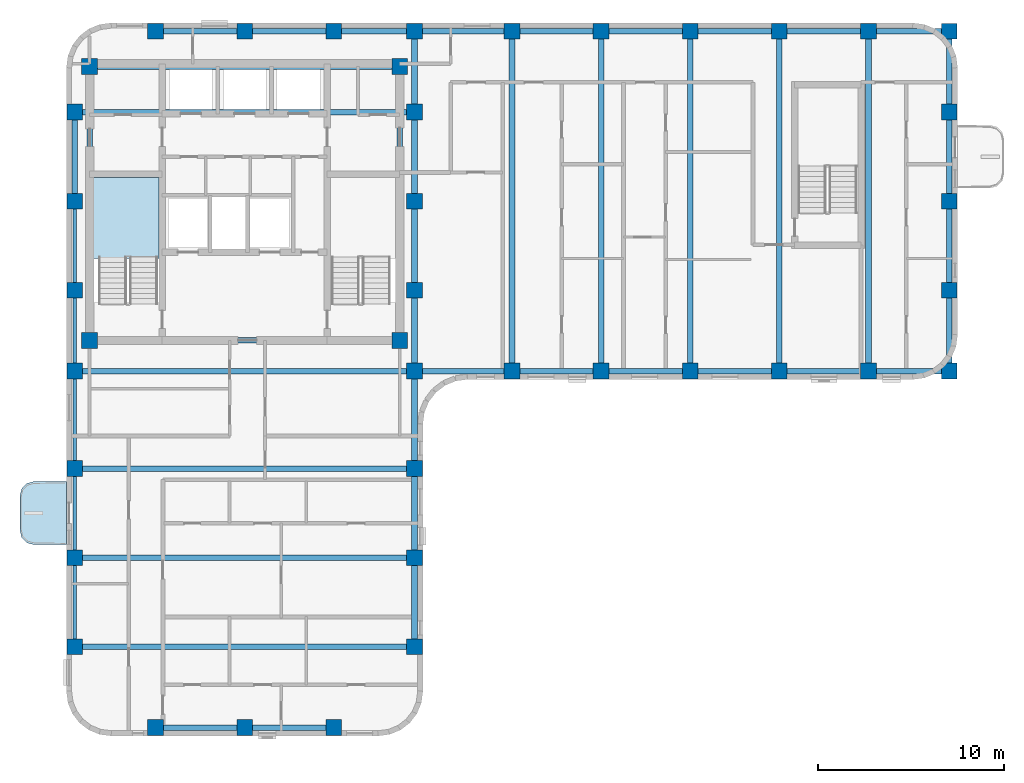
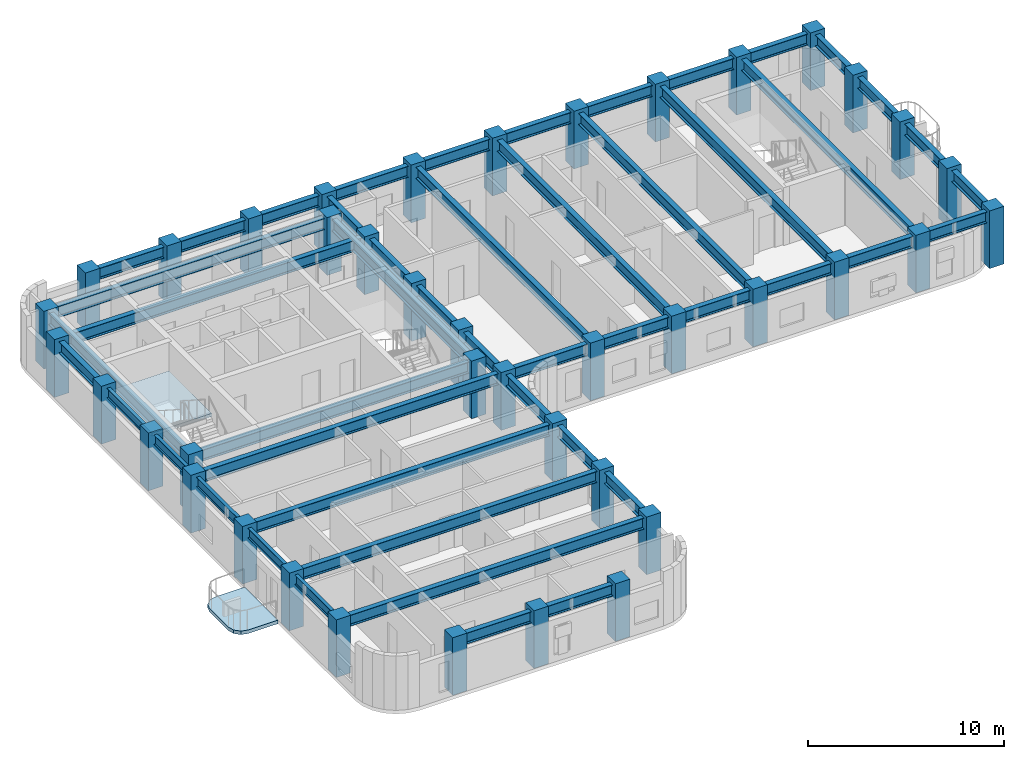
# One storey, part 1 of 10: 48 beams, 40 columns, 2 slabs, 1 element without a shape of its own.
"""IFC4 building model written with IfcOpenShell, lengths in metres."""

from ifc_helpers import new_model, si_unit, direction, frame, origin, origin_2d, place, context, subcontext, project, spatial, polyline, rectangle, i_section, outline, extrude, material, layer, layer_set, material_profile, profile_set, type_object, element, aggregate, save


model = new_model("IFC4")

# Units and contexts
model_context = context("Model", 3, precision=1e-05, world=origin(), true_north=direction((0.0, 1.0)))
body_context = subcontext(model_context, "Body", "Model", "MODEL_VIEW")
ifc_project = project(units=[si_unit("LENGTHUNIT", "METRE"), si_unit("AREAUNIT", "SQUARE_METRE"), si_unit("VOLUMEUNIT", "CUBIC_METRE"), si_unit("PLANEANGLEUNIT", "RADIAN"), si_unit("MASSUNIT", "GRAM", prefix="KILO")], contexts=[model_context])

# Site, building, storey
site_placement = place(None, origin())
site = spatial("IfcSite", under=ifc_project, at=site_placement, CompositionType="ELEMENT")
building_placement = place(site_placement, origin())
building = spatial("IfcBuilding", under=site, at=building_placement, Name="Orvandelia Arch Residences", CompositionType="ELEMENT")
storey_placement = place(building_placement, frame((0.0, 0.0, 207.39990234375)))
storey = spatial("IfcBuildingStorey", under=building, at=storey_placement, Name="L54", CompositionType="ELEMENT", Elevation=207.39990234375)

# Columns
ifc_material_1 = material(Name="Concrete C60/75", Category="concrete")
ifc_material_profile_1 = material_profile(ifc_material_1, rectangle(XDim=0.85009765625, YDim=0.85009765625, at=origin_2d()), Name="Concrete C60/75", Category="concrete")
ifc_profile_set_1 = profile_set([ifc_material_profile_1], Name="Concrete C60/75")
column_type = type_object("IfcColumnType", Name="COL-TWR-850", PredefinedType="COLUMN", material=ifc_profile_set_1)
for number, where, z_axis, x_axis, name in (
    (1, (5.25, 14.39990234375, 0.0), (0.0, 0.0, 1.0), (1.0, 0.0, 0.0), "Structural Column L54-W-W-144"),
    (2, (5.25, 19.199951171875, 0.0), (0.0, 0.0, 1.0), (1.0, 0.0, 0.0), "Structural Column L54-W-W-192"),
    (3, (5.25, 24.0, 0.0), (0.0, 0.0, 1.0), (1.0, 0.0, 0.0), "Structural Column L54-W-W-240"),
    (4, (5.25, 29.25, 0.0), (0.0, 0.0, 1.0), (1.0, 0.0, 0.0), "Structural Column L54-W-W-292"),
    (5, (5.25, 33.60009765625, 0.0), (0.0, 0.0, 1.0), (1.0, 0.0, 0.0), "Structural Column L54-W-W-336"),
    (6, (5.25, 38.39990234375, 0.0), (0.0, 0.0, 1.0), (1.0, 0.0, 0.0), "Structural Column L54-W-W-384"),
    (7, (5.25, 43.199951171875, 0.0), (0.0, 0.0, 1.0), (1.0, 0.0, 0.0), "Structural Column L54-W-W-432"),
    (8, (6.050048828125, 30.89990234375, 0.0), (0.0, 0.0, 1.0), (1.0, 0.0, 0.0), "Structural Column L54-CR-SW"),
    (9, (6.050048828125, 45.64990234375, 0.0), (0.0, 0.0, 1.0), (1.0, 0.0, 0.0), "Structural Column L54-CR-NW"),
    (10, (9.60009765625, 10.050048828125, 0.0), (0.0, 0.0, 1.0), (1.0, 0.0, 0.0), "Structural Column L54-W-S-96"),
    (11, (9.60009765625, 47.550048828125, 0.0), (0.0, 0.0, 1.0), (1.0, 0.0, 0.0), "Structural Column L54-W-N-96"),
    (12, (14.39990234375, 10.050048828125, 0.0), (0.0, 0.0, 1.0), (1.0, 0.0, 0.0), "Structural Column L54-W-S-144"),
    (13, (14.39990234375, 47.550048828125, 0.0), (0.0, 0.0, 1.0), (1.0, 0.0, 0.0), "Structural Column L54-W-N-144"),
    (14, (19.199951171875, 10.050048828125, 0.0), (0.0, 0.0, 1.0), (1.0, 0.0, 0.0), "Structural Column L54-W-S-192"),
    (15, (19.199951171875, 47.550048828125, 0.0), (0.0, 0.0, 1.0), (1.0, 0.0, 0.0), "Structural Column L54-W-N-192"),
    (16, (22.75, 30.89990234375, 0.0), (0.0, 0.0, 1.0), (1.0, 0.0, 0.0), "Structural Column L54-CR-SE"),
    (17, (22.75, 45.64990234375, 0.0), (0.0, 0.0, 1.0), (1.0, 0.0, 0.0), "Structural Column L54-CR-NE"),
    (18, (23.550048828125, 14.39990234375, 0.0), (0.0, 0.0, 1.0), (1.0, 0.0, 0.0), "Structural Column L54-W-E-144"),
    (19, (23.550048828125, 19.199951171875, 0.0), (0.0, 0.0, 1.0), (1.0, 0.0, 0.0), "Structural Column L54-W-E-192"),
    (20, (23.550048828125, 24.0, 0.0), (0.0, 0.0, 1.0), (1.0, 0.0, 0.0), "Structural Column L54-W-E-240"),
    (21, (23.550048828125, 29.25, 0.0), (0.0, 0.0, 1.0), (1.0, 0.0, 0.0), "Structural Column L54-W-E-292"),
    (22, (23.550048828125, 33.60009765625, 0.0), (0.0, 0.0, 1.0), (1.0, 0.0, 0.0), "Structural Column L54-W-E-336"),
    (23, (23.550048828125, 38.39990234375, 0.0), (0.0, 0.0, 1.0), (1.0, 0.0, 0.0), "Structural Column L54-W-E-384"),
    (24, (23.550048828125, 43.199951171875, 0.0), (0.0, 0.0, 1.0), (1.0, 0.0, 0.0), "Structural Column L54-W-E-432"),
    (25, (23.550048828125, 47.550048828125, 0.0), (0.0, 0.0, 1.0), (1.0, 0.0, 0.0), "Structural Column L54-W-N-235"),
    (26, (28.800048828125, 29.25, 0.0), (0.0, 0.0, 1.0), (1.0, 0.0, 0.0), "Structural Column L54-E-S-288"),
    (27, (28.800048828125, 47.550048828125, 0.0), (0.0, 0.0, 1.0), (1.0, 0.0, 0.0), "Structural Column L54-E-N-288"),
    (28, (33.60009765625, 29.25, 0.0), (0.0, 0.0, 1.0), (1.0, 0.0, 0.0), "Structural Column L54-E-S-336"),
    (29, (33.60009765625, 47.550048828125, 0.0), (0.0, 0.0, 1.0), (1.0, 0.0, 0.0), "Structural Column L54-E-N-336"),
    (30, (38.39990234375, 29.25, 0.0), (0.0, 0.0, 1.0), (1.0, 0.0, 0.0), "Structural Column L54-E-S-384"),
    (31, (38.39990234375, 47.550048828125, 0.0), (0.0, 0.0, 1.0), (1.0, 0.0, 0.0), "Structural Column L54-E-N-384"),
    (32, (43.199951171875, 29.25, 0.0), (0.0, 0.0, 1.0), (1.0, 0.0, 0.0), "Structural Column L54-E-S-432"),
    (33, (43.199951171875, 47.550048828125, 0.0), (0.0, 0.0, 1.0), (1.0, 0.0, 0.0), "Structural Column L54-E-N-432"),
    (34, (48.0, 29.25, 0.0), (0.0, 0.0, 1.0), (1.0, 0.0, 0.0), "Structural Column L54-E-S-480"),
    (35, (48.0, 47.550048828125, 0.0), (0.0, 0.0, 1.0), (1.0, 0.0, 0.0), "Structural Column L54-E-N-480"),
    (36, (52.35009765625, 29.25, 0.0), (0.0, 0.0, 1.0), (1.0, 0.0, 0.0), "Structural Column L54-E-S-523"),
    (37, (52.35009765625, 33.60009765625, 0.0), (0.0, 0.0, 1.0), (1.0, 0.0, 0.0), "Structural Column L54-E-523-336"),
    (38, (52.35009765625, 38.39990234375, 0.0), (0.0, 0.0, 1.0), (1.0, 0.0, 0.0), "Structural Column L54-E-523-384"),
    (39, (52.35009765625, 43.199951171875, 0.0), (0.0, 0.0, 1.0), (1.0, 0.0, 0.0), "Structural Column L54-E-523-432"),
    (40, (52.35009765625, 47.550048828125, 0.0), (0.0, 0.0, 1.0), (1.0, 0.0, 0.0), "Structural Column L54-E-N-523"),
):
    element("IfcColumn", number, at=place(storey_placement, frame(where, z_axis=z_axis, x_axis=x_axis)), inside=storey, type_object=column_type, Name=name, PredefinedType="COLUMN", context=body_context, shape_type="SweptSolid", body=[
        extrude(rectangle(XDim=0.85009765625, YDim=0.85009765625, at=origin_2d()), origin(), (0.0, 0.0, 1.0), 3.60009765625),
    ])

# Beams
ifc_material_2 = material(Name="Structural Steel SM355 (355 MPa)", Category="steel")
ifc_material_profile_2 = material_profile(ifc_material_2, i_section(OverallWidth=0.300048828125, OverallDepth=0.699951171875, WebThickness=0.012939453125, FlangeThickness=0.02392578125, FilletRadius=0.02392578125, at=origin_2d()), Name="Structural Steel SM355 (355 MPa)", Category="steel")
ifc_profile_set_2 = profile_set([ifc_material_profile_2], Name="Structural Steel SM355 (355 MPa)")
beam_type_1 = type_object("IfcBeamType", Name="BM-GRD-H700", PredefinedType="BEAM", material=ifc_profile_set_2)
beam_1_placement = place(storey_placement, frame((5.25, 38.39990234375, 3.030029296875), z_axis=(0.0, 1.0, 0.0), x_axis=(-1.0, 0.0, 0.0)))
element("IfcBeam", 41, at=beam_1_placement, inside=storey, type_object=beam_type_1, Name="Structural Frame Beam L54-NS-006", PredefinedType="BEAM", context=body_context, shape_type="SweptSolid", body=[
    extrude(i_section(OverallWidth=0.300048828125, OverallDepth=0.699951171875, WebThickness=0.012939453125, FlangeThickness=0.02392578125, FilletRadius=0.02392578125, at=origin_2d()), origin(), (0.0, 0.0, 1.0), 4.800048828125),
])
for number, where, z_axis, x_axis, name in (
    (42, (6.050048828125, 30.89990234375, 3.030029296875), (0.0, 1.0, 0.0), (-1.0, 0.0, 0.0), "Structural Frame Beam L54-NS-007"),
    (43, (22.75, 30.89990234375, 3.030029296875), (0.0, 1.0, 0.0), (-1.0, 0.0, 0.0), "Structural Frame Beam L54-NS-008"),
):
    element("IfcBeam", number, at=place(storey_placement, frame(where, z_axis=z_axis, x_axis=x_axis)), inside=storey, type_object=beam_type_1, Name=name, PredefinedType="BEAM", context=body_context, shape_type="SweptSolid", body=[
        extrude(i_section(OverallWidth=0.300048828125, OverallDepth=0.699951171875, WebThickness=0.012939453125, FlangeThickness=0.02392578125, FilletRadius=0.02392578125, at=origin_2d()), origin(), (0.0, 0.0, 1.0), 14.75),
    ])
for number, where, z_axis, x_axis, name in (
    (44, (23.550048828125, 14.39990234375, 3.030029296875), (0.0, 1.0, 0.0), (-1.0, 0.0, 0.0), "Structural Frame Beam L54-NS-009"),
    (45, (23.550048828125, 19.199951171875, 3.030029296875), (0.0, 1.0, 0.0), (-1.0, 0.0, 0.0), "Structural Frame Beam L54-NS-010"),
):
    element("IfcBeam", number, at=place(storey_placement, frame(where, z_axis=z_axis, x_axis=x_axis)), inside=storey, type_object=beam_type_1, Name=name, PredefinedType="BEAM", context=body_context, shape_type="SweptSolid", body=[
        extrude(i_section(OverallWidth=0.300048828125, OverallDepth=0.699951171875, WebThickness=0.012939453125, FlangeThickness=0.02392578125, FilletRadius=0.02392578125, at=origin_2d()), origin(), (0.0, 0.0, 1.0), 4.800048828125),
    ])
beam_2_placement = place(storey_placement, frame((23.550048828125, 24.0, 3.030029296875), z_axis=(0.0, 1.0, 0.0), x_axis=(-1.0, 0.0, 0.0)))
element("IfcBeam", 46, at=beam_2_placement, inside=storey, type_object=beam_type_1, Name="Structural Frame Beam L54-NS-011", PredefinedType="BEAM", context=body_context, shape_type="SweptSolid", body=[
    extrude(i_section(OverallWidth=0.300048828125, OverallDepth=0.699951171875, WebThickness=0.012939453125, FlangeThickness=0.02392578125, FilletRadius=0.02392578125, at=origin_2d()), origin(), (0.0, 0.0, 1.0), 5.25),
])
beam_3_placement = place(storey_placement, frame((23.550048828125, 29.25, 3.030029296875), z_axis=(0.0, 1.0, 0.0), x_axis=(-1.0, 0.0, 0.0)))
element("IfcBeam", 47, at=beam_3_placement, inside=storey, type_object=beam_type_1, Name="Structural Frame Beam L54-NS-012", PredefinedType="BEAM", context=body_context, shape_type="SweptSolid", body=[
    extrude(i_section(OverallWidth=0.300048828125, OverallDepth=0.699951171875, WebThickness=0.012939453125, FlangeThickness=0.02392578125, FilletRadius=0.02392578125, at=origin_2d()), origin(), (0.0, 0.0, 1.0), 4.35009765625),
])
beam_4_placement = place(storey_placement, frame((23.550048828125, 33.60009765625, 3.030029296875), z_axis=(0.0, 1.0, 0.0), x_axis=(-1.0, 0.0, 0.0)))
element("IfcBeam", 48, at=beam_4_placement, inside=storey, type_object=beam_type_1, Name="Structural Frame Beam L54-NS-013", PredefinedType="BEAM", context=body_context, shape_type="SweptSolid", body=[
    extrude(i_section(OverallWidth=0.300048828125, OverallDepth=0.699951171875, WebThickness=0.012939453125, FlangeThickness=0.02392578125, FilletRadius=0.02392578125, at=origin_2d()), origin(), (0.0, 0.0, 1.0), 4.7998046875),
])
beam_5_placement = place(storey_placement, frame((23.550048828125, 38.39990234375, 3.030029296875), z_axis=(0.0, 1.0, 0.0), x_axis=(-1.0, 0.0, 0.0)))
element("IfcBeam", 49, at=beam_5_placement, inside=storey, type_object=beam_type_1, Name="Structural Frame Beam L54-NS-014", PredefinedType="BEAM", context=body_context, shape_type="SweptSolid", body=[
    extrude(i_section(OverallWidth=0.300048828125, OverallDepth=0.699951171875, WebThickness=0.012939453125, FlangeThickness=0.02392578125, FilletRadius=0.02392578125, at=origin_2d()), origin(), (0.0, 0.0, 1.0), 4.800048828125),
])
beam_6_placement = place(storey_placement, frame((23.550048828125, 43.199951171875, 3.030029296875), z_axis=(0.0, 1.0, 0.0), x_axis=(-1.0, 0.0, 0.0)))
element("IfcBeam", 50, at=beam_6_placement, inside=storey, type_object=beam_type_1, Name="Structural Frame Beam L54-NS-015", PredefinedType="BEAM", context=body_context, shape_type="SweptSolid", body=[
    extrude(i_section(OverallWidth=0.300048828125, OverallDepth=0.699951171875, WebThickness=0.012939453125, FlangeThickness=0.02392578125, FilletRadius=0.02392578125, at=origin_2d()), origin(), (0.0, 0.0, 1.0), 4.35009765625),
])
for number, where, z_axis, x_axis, name in (
    (51, (28.800048828125, 29.25, 3.030029296875), (0.0, 1.0, 0.0), (-1.0, 0.0, 0.0), "Structural Frame Beam L54-NS-016"),
    (52, (33.60009765625, 29.25, 3.030029296875), (0.0, 1.0, 0.0), (-1.0, 0.0, 0.0), "Structural Frame Beam L54-NS-017"),
    (53, (38.39990234375, 29.25, 3.030029296875), (0.0, 1.0, 0.0), (-1.0, 0.0, 0.0), "Structural Frame Beam L54-NS-018"),
    (54, (43.199951171875, 29.25, 3.030029296875), (0.0, 1.0, 0.0), (-1.0, 0.0, 0.0), "Structural Frame Beam L54-NS-019"),
    (55, (48.0, 29.25, 3.030029296875), (0.0, 1.0, 0.0), (-1.0, 0.0, 0.0), "Structural Frame Beam L54-NS-020"),
):
    element("IfcBeam", number, at=place(storey_placement, frame(where, z_axis=z_axis, x_axis=x_axis)), inside=storey, type_object=beam_type_1, Name=name, PredefinedType="BEAM", context=body_context, shape_type="SweptSolid", body=[
        extrude(i_section(OverallWidth=0.300048828125, OverallDepth=0.699951171875, WebThickness=0.012939453125, FlangeThickness=0.02392578125, FilletRadius=0.02392578125, at=origin_2d()), origin(), (0.0, 0.0, 1.0), 18.300048828125),
    ])
beam_7_placement = place(storey_placement, frame((52.35009765625, 29.25, 3.030029296875), z_axis=(0.0, 1.0, 0.0), x_axis=(-1.0, 0.0, 0.0)))
element("IfcBeam", 56, at=beam_7_placement, inside=storey, type_object=beam_type_1, Name="Structural Frame Beam L54-NS-021", PredefinedType="BEAM", context=body_context, shape_type="SweptSolid", body=[
    extrude(i_section(OverallWidth=0.300048828125, OverallDepth=0.699951171875, WebThickness=0.012939453125, FlangeThickness=0.02392578125, FilletRadius=0.02392578125, at=origin_2d()), origin(), (0.0, 0.0, 1.0), 4.35009765625),
])
beam_8_placement = place(storey_placement, frame((52.35009765625, 33.60009765625, 3.030029296875), z_axis=(0.0, 1.0, 0.0), x_axis=(-1.0, 0.0, 0.0)))
element("IfcBeam", 57, at=beam_8_placement, inside=storey, type_object=beam_type_1, Name="Structural Frame Beam L54-NS-022", PredefinedType="BEAM", context=body_context, shape_type="SweptSolid", body=[
    extrude(i_section(OverallWidth=0.300048828125, OverallDepth=0.699951171875, WebThickness=0.012939453125, FlangeThickness=0.02392578125, FilletRadius=0.02392578125, at=origin_2d()), origin(), (0.0, 0.0, 1.0), 4.7998046875),
])
beam_9_placement = place(storey_placement, frame((52.35009765625, 38.39990234375, 3.030029296875), z_axis=(0.0, 1.0, 0.0), x_axis=(-1.0, 0.0, 0.0)))
element("IfcBeam", 58, at=beam_9_placement, inside=storey, type_object=beam_type_1, Name="Structural Frame Beam L54-NS-023", PredefinedType="BEAM", context=body_context, shape_type="SweptSolid", body=[
    extrude(i_section(OverallWidth=0.300048828125, OverallDepth=0.699951171875, WebThickness=0.012939453125, FlangeThickness=0.02392578125, FilletRadius=0.02392578125, at=origin_2d()), origin(), (0.0, 0.0, 1.0), 4.800048828125),
])
beam_10_placement = place(storey_placement, frame((52.35009765625, 43.199951171875, 3.030029296875), z_axis=(0.0, 1.0, 0.0), x_axis=(-1.0, 0.0, 0.0)))
element("IfcBeam", 59, at=beam_10_placement, inside=storey, type_object=beam_type_1, Name="Structural Frame Beam L54-NS-024", PredefinedType="BEAM", context=body_context, shape_type="SweptSolid", body=[
    extrude(i_section(OverallWidth=0.300048828125, OverallDepth=0.699951171875, WebThickness=0.012939453125, FlangeThickness=0.02392578125, FilletRadius=0.02392578125, at=origin_2d()), origin(), (0.0, 0.0, 1.0), 4.35009765625),
])
beam_11_placement = place(storey_placement, frame((9.60009765625, 10.050048828125, 3.030029296875), z_axis=(1.0, 0.0, 0.0), x_axis=(0.0, 1.0, 0.0)))
element("IfcBeam", 60, at=beam_11_placement, inside=storey, type_object=beam_type_1, Name="Structural Frame Girder L54-EW-025", PredefinedType="BEAM", context=body_context, shape_type="SweptSolid", body=[
    extrude(i_section(OverallWidth=0.300048828125, OverallDepth=0.699951171875, WebThickness=0.012939453125, FlangeThickness=0.02392578125, FilletRadius=0.02392578125, at=origin_2d()), origin(), (0.0, 0.0, 1.0), 4.7998046875),
])
beam_12_placement = place(storey_placement, frame((14.39990234375, 10.050048828125, 3.030029296875), z_axis=(1.0, 0.0, 0.0), x_axis=(0.0, 1.0, 0.0)))
element("IfcBeam", 61, at=beam_12_placement, inside=storey, type_object=beam_type_1, Name="Structural Frame Girder L54-EW-026", PredefinedType="BEAM", context=body_context, shape_type="SweptSolid", body=[
    extrude(i_section(OverallWidth=0.300048828125, OverallDepth=0.699951171875, WebThickness=0.012939453125, FlangeThickness=0.02392578125, FilletRadius=0.02392578125, at=origin_2d()), origin(), (0.0, 0.0, 1.0), 4.800048828125),
])
for number, where, z_axis, x_axis, name in (
    (62, (5.25, 14.39990234375, 3.030029296875), (1.0, 0.0, 0.0), (0.0, 1.0, 0.0), "Structural Frame Girder L54-EW-027"),
    (63, (5.25, 19.199951171875, 3.030029296875), (1.0, 0.0, 0.0), (0.0, 1.0, 0.0), "Structural Frame Girder L54-EW-028"),
    (64, (5.25, 24.0, 3.030029296875), (1.0, 0.0, 0.0), (0.0, 1.0, 0.0), "Structural Frame Girder L54-EW-029"),
    (65, (5.25, 29.25, 3.030029296875), (1.0, 0.0, 0.0), (0.0, 1.0, 0.0), "Structural Frame Girder L54-EW-030"),
):
    element("IfcBeam", number, at=place(storey_placement, frame(where, z_axis=z_axis, x_axis=x_axis)), inside=storey, type_object=beam_type_1, Name=name, PredefinedType="BEAM", context=body_context, shape_type="SweptSolid", body=[
        extrude(i_section(OverallWidth=0.300048828125, OverallDepth=0.699951171875, WebThickness=0.012939453125, FlangeThickness=0.02392578125, FilletRadius=0.02392578125, at=origin_2d()), origin(), (0.0, 0.0, 1.0), 18.300048828125),
    ])
beam_13_placement = place(storey_placement, frame((23.550048828125, 29.25, 3.030029296875), z_axis=(1.0, 0.0, 0.0), x_axis=(0.0, 1.0, 0.0)))
element("IfcBeam", 66, at=beam_13_placement, inside=storey, type_object=beam_type_1, Name="Structural Frame Girder L54-EW-031", PredefinedType="BEAM", context=body_context, shape_type="SweptSolid", body=[
    extrude(i_section(OverallWidth=0.300048828125, OverallDepth=0.699951171875, WebThickness=0.012939453125, FlangeThickness=0.02392578125, FilletRadius=0.02392578125, at=origin_2d()), origin(), (0.0, 0.0, 1.0), 5.25),
])
beam_14_placement = place(storey_placement, frame((28.800048828125, 29.25, 3.030029296875), z_axis=(1.0, 0.0, 0.0), x_axis=(0.0, 1.0, 0.0)))
element("IfcBeam", 67, at=beam_14_placement, inside=storey, type_object=beam_type_1, Name="Structural Frame Girder L54-EW-032", PredefinedType="BEAM", context=body_context, shape_type="SweptSolid", body=[
    extrude(i_section(OverallWidth=0.300048828125, OverallDepth=0.699951171875, WebThickness=0.012939453125, FlangeThickness=0.02392578125, FilletRadius=0.02392578125, at=origin_2d()), origin(), (0.0, 0.0, 1.0), 4.800048828125),
])
beam_15_placement = place(storey_placement, frame((33.60009765625, 29.25, 3.030029296875), z_axis=(1.0, 0.0, 0.0), x_axis=(0.0, 1.0, 0.0)))
element("IfcBeam", 68, at=beam_15_placement, inside=storey, type_object=beam_type_1, Name="Structural Frame Girder L54-EW-033", PredefinedType="BEAM", context=body_context, shape_type="SweptSolid", body=[
    extrude(i_section(OverallWidth=0.300048828125, OverallDepth=0.699951171875, WebThickness=0.012939453125, FlangeThickness=0.02392578125, FilletRadius=0.02392578125, at=origin_2d()), origin(), (0.0, 0.0, 1.0), 4.7998046875),
])
for number, where, z_axis, x_axis, name in (
    (69, (38.39990234375, 29.25, 3.030029296875), (1.0, 0.0, 0.0), (0.0, 1.0, 0.0), "Structural Frame Girder L54-EW-034"),
    (70, (43.199951171875, 29.25, 3.030029296875), (1.0, 0.0, 0.0), (0.0, 1.0, 0.0), "Structural Frame Girder L54-EW-035"),
):
    element("IfcBeam", number, at=place(storey_placement, frame(where, z_axis=z_axis, x_axis=x_axis)), inside=storey, type_object=beam_type_1, Name=name, PredefinedType="BEAM", context=body_context, shape_type="SweptSolid", body=[
        extrude(i_section(OverallWidth=0.300048828125, OverallDepth=0.699951171875, WebThickness=0.012939453125, FlangeThickness=0.02392578125, FilletRadius=0.02392578125, at=origin_2d()), origin(), (0.0, 0.0, 1.0), 4.800048828125),
    ])
beam_16_placement = place(storey_placement, frame((48.0, 29.25, 3.030029296875), z_axis=(1.0, 0.0, 0.0), x_axis=(0.0, 1.0, 0.0)))
element("IfcBeam", 71, at=beam_16_placement, inside=storey, type_object=beam_type_1, Name="Structural Frame Girder L54-EW-036", PredefinedType="BEAM", context=body_context, shape_type="SweptSolid", body=[
    extrude(i_section(OverallWidth=0.300048828125, OverallDepth=0.699951171875, WebThickness=0.012939453125, FlangeThickness=0.02392578125, FilletRadius=0.02392578125, at=origin_2d()), origin(), (0.0, 0.0, 1.0), 4.35009765625),
])
beam_17_placement = place(storey_placement, frame((6.050048828125, 30.89990234375, 3.030029296875), z_axis=(1.0, 0.0, 0.0), x_axis=(0.0, 1.0, 0.0)))
element("IfcBeam", 72, at=beam_17_placement, inside=storey, type_object=beam_type_1, Name="Structural Frame Girder L54-EW-037", PredefinedType="BEAM", context=body_context, shape_type="SweptSolid", body=[
    extrude(i_section(OverallWidth=0.300048828125, OverallDepth=0.699951171875, WebThickness=0.012939453125, FlangeThickness=0.02392578125, FilletRadius=0.02392578125, at=origin_2d()), origin(), (0.0, 0.0, 1.0), 16.699951171875),
])
beam_18_placement = place(storey_placement, frame((5.25, 43.199951171875, 3.030029296875), z_axis=(1.0, 0.0, 0.0), x_axis=(0.0, 1.0, 0.0)))
element("IfcBeam", 73, at=beam_18_placement, inside=storey, type_object=beam_type_1, Name="Structural Frame Girder L54-EW-040", PredefinedType="BEAM", context=body_context, shape_type="SweptSolid", body=[
    extrude(i_section(OverallWidth=0.300048828125, OverallDepth=0.699951171875, WebThickness=0.012939453125, FlangeThickness=0.02392578125, FilletRadius=0.02392578125, at=origin_2d()), origin(), (0.0, 0.0, 1.0), 18.300048828125),
])
beam_19_placement = place(storey_placement, frame((6.050048828125, 45.64990234375, 3.030029296875), z_axis=(1.0, 0.0, 0.0), x_axis=(0.0, 1.0, 0.0)))
element("IfcBeam", 74, at=beam_19_placement, inside=storey, type_object=beam_type_1, Name="Structural Frame Girder L54-EW-041", PredefinedType="BEAM", context=body_context, shape_type="SweptSolid", body=[
    extrude(i_section(OverallWidth=0.300048828125, OverallDepth=0.699951171875, WebThickness=0.012939453125, FlangeThickness=0.02392578125, FilletRadius=0.02392578125, at=origin_2d()), origin(), (0.0, 0.0, 1.0), 16.699951171875),
])
beam_20_placement = place(storey_placement, frame((9.60009765625, 47.550048828125, 3.030029296875), z_axis=(1.0, 0.0, 0.0), x_axis=(0.0, 1.0, 0.0)))
element("IfcBeam", 75, at=beam_20_placement, inside=storey, type_object=beam_type_1, Name="Structural Frame Girder L54-EW-042", PredefinedType="BEAM", context=body_context, shape_type="SweptSolid", body=[
    extrude(i_section(OverallWidth=0.300048828125, OverallDepth=0.699951171875, WebThickness=0.012939453125, FlangeThickness=0.02392578125, FilletRadius=0.02392578125, at=origin_2d()), origin(), (0.0, 0.0, 1.0), 4.7998046875),
])
beam_21_placement = place(storey_placement, frame((14.39990234375, 47.550048828125, 3.030029296875), z_axis=(1.0, 0.0, 0.0), x_axis=(0.0, 1.0, 0.0)))
element("IfcBeam", 76, at=beam_21_placement, inside=storey, type_object=beam_type_1, Name="Structural Frame Girder L54-EW-043", PredefinedType="BEAM", context=body_context, shape_type="SweptSolid", body=[
    extrude(i_section(OverallWidth=0.300048828125, OverallDepth=0.699951171875, WebThickness=0.012939453125, FlangeThickness=0.02392578125, FilletRadius=0.02392578125, at=origin_2d()), origin(), (0.0, 0.0, 1.0), 4.800048828125),
])
beam_22_placement = place(storey_placement, frame((19.199951171875, 47.550048828125, 3.030029296875), z_axis=(1.0, 0.0, 0.0), x_axis=(0.0, 1.0, 0.0)))
element("IfcBeam", 77, at=beam_22_placement, inside=storey, type_object=beam_type_1, Name="Structural Frame Girder L54-EW-044", PredefinedType="BEAM", context=body_context, shape_type="SweptSolid", body=[
    extrude(i_section(OverallWidth=0.300048828125, OverallDepth=0.699951171875, WebThickness=0.012939453125, FlangeThickness=0.02392578125, FilletRadius=0.02392578125, at=origin_2d()), origin(), (0.0, 0.0, 1.0), 4.35009765625),
])
beam_23_placement = place(storey_placement, frame((23.550048828125, 47.550048828125, 3.030029296875), z_axis=(1.0, 0.0, 0.0), x_axis=(0.0, 1.0, 0.0)))
element("IfcBeam", 78, at=beam_23_placement, inside=storey, type_object=beam_type_1, Name="Structural Frame Girder L54-EW-045", PredefinedType="BEAM", context=body_context, shape_type="SweptSolid", body=[
    extrude(i_section(OverallWidth=0.300048828125, OverallDepth=0.699951171875, WebThickness=0.012939453125, FlangeThickness=0.02392578125, FilletRadius=0.02392578125, at=origin_2d()), origin(), (0.0, 0.0, 1.0), 5.25),
])
beam_24_placement = place(storey_placement, frame((28.800048828125, 47.550048828125, 3.030029296875), z_axis=(1.0, 0.0, 0.0), x_axis=(0.0, 1.0, 0.0)))
element("IfcBeam", 79, at=beam_24_placement, inside=storey, type_object=beam_type_1, Name="Structural Frame Girder L54-EW-046", PredefinedType="BEAM", context=body_context, shape_type="SweptSolid", body=[
    extrude(i_section(OverallWidth=0.300048828125, OverallDepth=0.699951171875, WebThickness=0.012939453125, FlangeThickness=0.02392578125, FilletRadius=0.02392578125, at=origin_2d()), origin(), (0.0, 0.0, 1.0), 4.800048828125),
])
beam_25_placement = place(storey_placement, frame((33.60009765625, 47.550048828125, 3.030029296875), z_axis=(1.0, 0.0, 0.0), x_axis=(0.0, 1.0, 0.0)))
element("IfcBeam", 80, at=beam_25_placement, inside=storey, type_object=beam_type_1, Name="Structural Frame Girder L54-EW-047", PredefinedType="BEAM", context=body_context, shape_type="SweptSolid", body=[
    extrude(i_section(OverallWidth=0.300048828125, OverallDepth=0.699951171875, WebThickness=0.012939453125, FlangeThickness=0.02392578125, FilletRadius=0.02392578125, at=origin_2d()), origin(), (0.0, 0.0, 1.0), 4.7998046875),
])
for number, where, z_axis, x_axis, name in (
    (81, (38.39990234375, 47.550048828125, 3.030029296875), (1.0, 0.0, 0.0), (0.0, 1.0, 0.0), "Structural Frame Girder L54-EW-048"),
    (82, (43.199951171875, 47.550048828125, 3.030029296875), (1.0, 0.0, 0.0), (0.0, 1.0, 0.0), "Structural Frame Girder L54-EW-049"),
):
    element("IfcBeam", number, at=place(storey_placement, frame(where, z_axis=z_axis, x_axis=x_axis)), inside=storey, type_object=beam_type_1, Name=name, PredefinedType="BEAM", context=body_context, shape_type="SweptSolid", body=[
        extrude(i_section(OverallWidth=0.300048828125, OverallDepth=0.699951171875, WebThickness=0.012939453125, FlangeThickness=0.02392578125, FilletRadius=0.02392578125, at=origin_2d()), origin(), (0.0, 0.0, 1.0), 4.800048828125),
    ])
beam_26_placement = place(storey_placement, frame((48.0, 47.550048828125, 3.030029296875), z_axis=(1.0, 0.0, 0.0), x_axis=(0.0, 1.0, 0.0)))
element("IfcBeam", 83, at=beam_26_placement, inside=storey, type_object=beam_type_1, Name="Structural Frame Girder L54-EW-050", PredefinedType="BEAM", context=body_context, shape_type="SweptSolid", body=[
    extrude(i_section(OverallWidth=0.300048828125, OverallDepth=0.699951171875, WebThickness=0.012939453125, FlangeThickness=0.02392578125, FilletRadius=0.02392578125, at=origin_2d()), origin(), (0.0, 0.0, 1.0), 4.35009765625),
])
ifc_material_profile_3 = material_profile(ifc_material_2, i_section(OverallWidth=0.199951171875, OverallDepth=0.60009765625, WebThickness=0.010986328125, FlangeThickness=0.01708984375, FilletRadius=0.02197265625, at=origin_2d()), Name="Structural Steel SM355 (355 MPa)", Category="steel")
ifc_profile_set_3 = profile_set([ifc_material_profile_3], Name="Structural Steel SM355 (355 MPa)")
beam_type_2 = type_object("IfcBeamType", Name="BM-SPN-H600", PredefinedType="SPANDREL", material=ifc_profile_set_3)
for number, where, z_axis, x_axis, name in (
    (84, (5.25, 14.39990234375, 3.080078125), (0.0, 1.0, 0.0), (-1.0, 0.0, 0.0), "Structural Frame Beam L54-NS-001"),
    (85, (5.25, 19.199951171875, 3.080078125), (0.0, 1.0, 0.0), (-1.0, 0.0, 0.0), "Structural Frame Beam L54-NS-002"),
):
    element("IfcBeam", number, at=place(storey_placement, frame(where, z_axis=z_axis, x_axis=x_axis)), inside=storey, type_object=beam_type_2, Name=name, PredefinedType="SPANDREL", context=body_context, shape_type="SweptSolid", body=[
        extrude(i_section(OverallWidth=0.199951171875, OverallDepth=0.60009765625, WebThickness=0.010986328125, FlangeThickness=0.01708984375, FilletRadius=0.02197265625, at=origin_2d()), origin(), (0.0, 0.0, 1.0), 4.800048828125),
    ])
beam_27_placement = place(storey_placement, frame((5.25, 24.0, 3.080078125), z_axis=(0.0, 1.0, 0.0), x_axis=(-1.0, 0.0, 0.0)))
element("IfcBeam", 86, at=beam_27_placement, inside=storey, type_object=beam_type_2, Name="Structural Frame Beam L54-NS-003", PredefinedType="SPANDREL", context=body_context, shape_type="SweptSolid", body=[
    extrude(i_section(OverallWidth=0.199951171875, OverallDepth=0.60009765625, WebThickness=0.010986328125, FlangeThickness=0.01708984375, FilletRadius=0.02197265625, at=origin_2d()), origin(), (0.0, 0.0, 1.0), 5.25),
])
beam_28_placement = place(storey_placement, frame((5.25, 29.25, 3.080078125), z_axis=(0.0, 1.0, 0.0), x_axis=(-1.0, 0.0, 0.0)))
element("IfcBeam", 87, at=beam_28_placement, inside=storey, type_object=beam_type_2, Name="Structural Frame Beam L54-NS-004", PredefinedType="SPANDREL", context=body_context, shape_type="SweptSolid", body=[
    extrude(i_section(OverallWidth=0.199951171875, OverallDepth=0.60009765625, WebThickness=0.010986328125, FlangeThickness=0.01708984375, FilletRadius=0.02197265625, at=origin_2d()), origin(), (0.0, 0.0, 1.0), 4.35009765625),
])
beam_29_placement = place(storey_placement, frame((5.25, 33.60009765625, 3.080078125), z_axis=(0.0, 1.0, 0.0), x_axis=(-1.0, 0.0, 0.0)))
element("IfcBeam", 88, at=beam_29_placement, inside=storey, type_object=beam_type_2, Name="Structural Frame Beam L54-NS-005", PredefinedType="SPANDREL", context=body_context, shape_type="SweptSolid", body=[
    extrude(i_section(OverallWidth=0.199951171875, OverallDepth=0.60009765625, WebThickness=0.010986328125, FlangeThickness=0.01708984375, FilletRadius=0.02197265625, at=origin_2d()), origin(), (0.0, 0.0, 1.0), 4.7998046875),
])

# Slab
ifc_material_3 = material(Name="Precast concrete C40/50", Category="concrete")
ifc_layer_1 = layer(ifc_material_3, 0.219970703125, Name="Precast concrete C40/50", Category="concrete")
ifc_layer_set_1 = layer_set([ifc_layer_1], Name="Precast concrete C40/50")
slab_type_1 = type_object("IfcSlabType", Name="SLB-BAL-220", PredefinedType="USERDEFINED", material=ifc_layer_set_1)
slab_1_placement = place(storey_placement, frame((0.0, 0.0, -0.219970703125)))
element("IfcSlab", 89, at=slab_1_placement, inside=storey, type_object=slab_type_1, Name="Tree Balcony Cantilever Slab BAL-L54-W1", ObjectType="BALCONY", PredefinedType="USERDEFINED", context=body_context, shape_type="SweptSolid", body=[
    extrude(outline(polyline([(4.800048828125, 19.89990234375), (4.800048828125, 23.300048828125), (3.050048828125, 23.300048828125), (2.675048828125, 23.199462890625), (2.400390625, 22.925048828125), (2.300048828125, 22.550048828125), (2.300048828125, 20.64990234375), (2.400390625, 20.27490234375), (2.675048828125, 20.00048828125), (3.050048828125, 19.89990234375), (4.800048828125, 19.89990234375)])), origin(), (0.0, 0.0, 1.0), 0.219970703125),
])

# Stair, slab
ifc_material_4 = material(Name="Concrete C40/50", Category="concrete")
stair_type = type_object("IfcStairType", Name="STAIR-RC-DOGLEG", PredefinedType="HALF_TURN_STAIR", material=ifc_material_4)
stair_placement = place(storey_placement, origin())
stair = element("IfcStair", 90, at=stair_placement, inside=storey, type_object=stair_type, Name="L54 Protected Exit Stair ST-1", PredefinedType="HALF_TURN_STAIR")
ifc_layer_2 = layer(ifc_material_4, 0.219970703125, Name="Concrete C40/50", Category="concrete")
ifc_layer_set_2 = layer_set([ifc_layer_2], Name="Concrete C40/50")
slab_type_2 = type_object("IfcSlabType", Name="SLB-LANDING-220", PredefinedType="LANDING", material=ifc_layer_set_2)
slab_2_placement = place(storey_placement, frame((0.0, 0.0, 1.60009765625)))
slab_2 = element("IfcSlab", 91, at=slab_2_placement, type_object=slab_type_2, Name="ST-1 landing 1", PredefinedType="LANDING", context=body_context, shape_type="SweptSolid", body=[
    extrude(outline(polyline([(9.800048828125, 35.31005859375), (9.800048828125, 39.68994140625), (6.260009765625, 39.68994140625), (6.260009765625, 35.31005859375), (9.800048828125, 35.31005859375)])), origin(), (0.0, 0.0, 1.0), 0.199951171875),
])
aggregate(stair, [slab_2])

save(model, "model.ifc")
